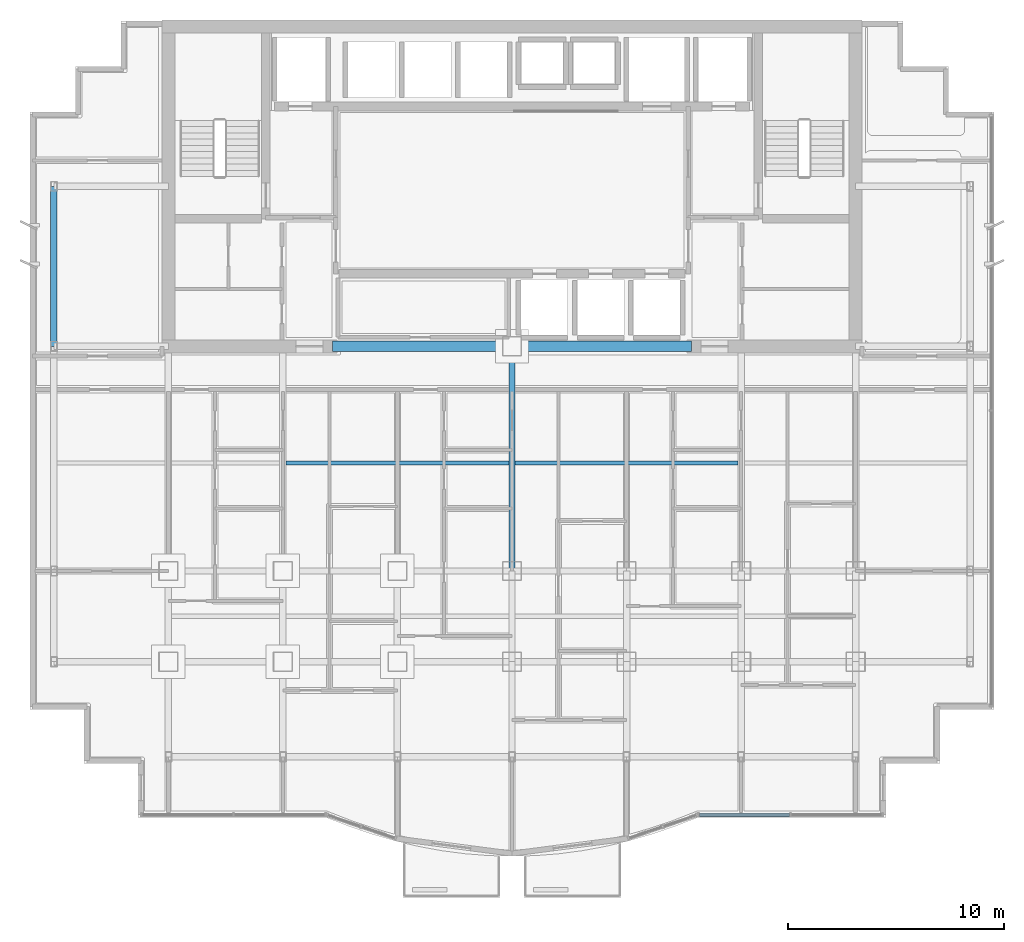
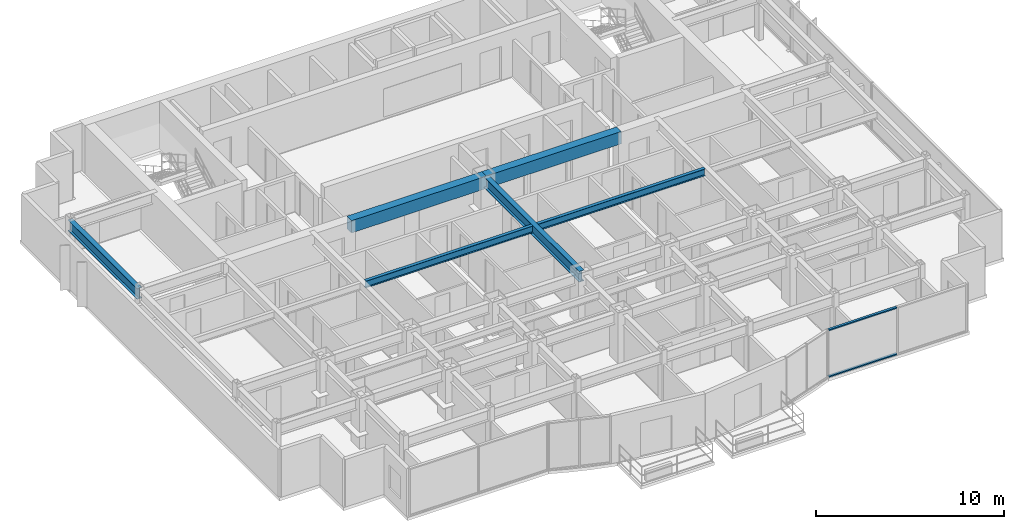
# One storey, part 3 of 13: 6 beams, 2 members, 1 element without a shape of its own.
"""IFC4 building model written with IfcOpenShell, lengths in metres."""

import ifcopenshell
import ifcopenshell.guid

model = None  # the IFC model being written
_history = None  # IfcOwnerHistory: only IFC2X3 demands one
_inside = {}  # id of a spatial element -> (the spatial element, [elements in it])
_under = {}  # id of a project, library or spatial element -> (it, [spatial elements below it])
_declared = {}  # id of a project -> (the project, [libraries it declares])
_typed = {}  # id of a type object -> (the type object, [elements of that type])
_made_of = {}  # id of a material, layer set ... -> (it, [elements and type objects made of it])


def new_model(schema):
    """Start an empty IFC model of exactly this schema.

    Asked for "IFC4X3", IfcOpenShell would pick the latest addendum, in which some entities
    have other attributes; the version numbers below select the first issue.
    IFC2X3 requires an IfcOwnerHistory on every rooted entity: one is made here for all.
    """
    global model, _history
    if schema == "IFC4X3":
        model = ifcopenshell.file(schema_version=(4, 3, 0, 0))
    else:
        model = ifcopenshell.file(schema=schema)
    _inside.clear()
    _under.clear()
    _declared.clear()
    _typed.clear()
    _made_of.clear()
    _history = None
    if model.schema == "IFC2X3":
        org = make("IfcOrganization", Name="unknown")
        user = make(
            "IfcPersonAndOrganization",
            ThePerson=make("IfcPerson", FamilyName="unknown"),
            TheOrganization=org,
        )
        app = make(
            "IfcApplication",
            ApplicationDeveloper=org,
            Version="unknown",
            ApplicationFullName="unknown",
            ApplicationIdentifier="unknown",
        )
        _history = make(
            "IfcOwnerHistory",
            OwningUser=user,
            OwningApplication=app,
            ChangeAction="ADDED",
            CreationDate=0,
        )
    return model


def make(cls, **values):
    """One entity of the class cls with the attributes given. An attribute that is None is left unset."""
    return model.create_entity(
        cls, **{name: value for name, value in values.items() if value is not None}
    )


def rooted(cls, **values):
    """An entity with a GlobalId (a new one), such as an element, a storey or a relation."""
    return make(cls, GlobalId=ifcopenshell.guid.new(), OwnerHistory=_history, **values)


def si_unit(unit_type, name, prefix=None):
    """IfcSIUnit, for example si_unit("LENGTHUNIT", "METRE", prefix="MILLI")."""
    return make("IfcSIUnit", UnitType=unit_type, Prefix=prefix, Name=name)


def assignment(units):
    """IfcUnitAssignment: the units of a project."""
    return None if units is None else make("IfcUnitAssignment", Units=units)


def point(xyz):
    """IfcCartesianPoint."""
    return None if xyz is None else make("IfcCartesianPoint", Coordinates=xyz)


def direction(xyz):
    """IfcDirection."""
    return None if xyz is None else make("IfcDirection", DirectionRatios=xyz)


def frame(location, z_axis=None, x_axis=None):
    """IfcAxis2Placement3D, a coordinate frame: its origin and axes. An axis left out is left unset."""
    return make(
        "IfcAxis2Placement3D",
        Location=point(location),
        Axis=direction(z_axis),
        RefDirection=direction(x_axis),
    )


def frame_2d(location, x_axis=None):
    """IfcAxis2Placement2D, a coordinate frame in the plane: its origin and x axis."""
    return make(
        "IfcAxis2Placement2D", Location=point(location), RefDirection=direction(x_axis)
    )


def origin():
    """The frame at (0, 0, 0) with its axes left unset."""
    return frame((0.0, 0.0, 0.0))


def origin_2d():
    """The frame at (0, 0) in the plane with its x axis left unset."""
    return frame_2d((0.0, 0.0))


def place(relative_to, where):
    """IfcLocalPlacement: puts the frame where relative to a parent placement (None: the world)."""
    return make(
        "IfcLocalPlacement", PlacementRelTo=relative_to, RelativePlacement=where
    )


def context(
    kind, dimensions, precision=None, world=None, true_north=None, identifier=None
):
    """IfcGeometricRepresentationContext, for example the 3D "Model" context."""
    return make(
        "IfcGeometricRepresentationContext",
        ContextIdentifier=identifier,
        ContextType=kind,
        CoordinateSpaceDimension=dimensions,
        Precision=precision,
        WorldCoordinateSystem=world,
        TrueNorth=true_north,
    )


def subcontext(parent, identifier, kind, view, scale=None):
    """IfcGeometricRepresentationSubContext, for example "Body" below "Model"."""
    return make(
        "IfcGeometricRepresentationSubContext",
        ContextIdentifier=identifier,
        ContextType=kind,
        ParentContext=parent,
        TargetScale=scale,
        TargetView=view,
    )


def project(units=None, contexts=None):
    """IfcProject with its units and contexts."""
    return rooted(
        "IfcProject",
        Name="project",
        RepresentationContexts=contexts,
        UnitsInContext=assignment(units),
    )


def spatial(cls, under=None, at=None, **own):
    """A site, building, storey or space (cls), placed at a placement, below another one or the project."""
    s = rooted(cls, ObjectPlacement=at, **own)
    if under is not None:
        _under.setdefault(under.id(), (under, []))[1].append(s)
    return s


def profile(cls, at=None, kind="AREA", **sizes):
    """A parametric profile (cls). Its sizes go by their IFC names, for example OverallWidth=200.0."""
    return make(cls, ProfileType=kind, Position=at, **sizes)


def rectangle(**sizes):
    """IfcRectangleProfileDef."""
    return profile("IfcRectangleProfileDef", **sizes)


def i_section(**sizes):
    """IfcIShapeProfileDef."""
    return profile("IfcIShapeProfileDef", **sizes)


def extrude(swept, where, along, depth):
    """IfcExtrudedAreaSolid: the profile swept, set in the frame where, extruded along a direction by depth."""
    return make(
        "IfcExtrudedAreaSolid",
        SweptArea=swept,
        Position=where,
        ExtrudedDirection=direction(along),
        Depth=depth,
    )


def shape(context_of_items, identifier, shape_type, items):
    """IfcShapeRepresentation: the items that make up one representation, for example the "Body"."""
    return make(
        "IfcShapeRepresentation",
        ContextOfItems=context_of_items,
        RepresentationIdentifier=identifier,
        RepresentationType=shape_type,
        Items=items,
    )


def source(mapping_origin, context_of_items, identifier, shape_type, items):
    """IfcRepresentationMap: a shape defined once, which mapped items show again and again."""
    return make(
        "IfcRepresentationMap",
        MappingOrigin=mapping_origin,
        MappedRepresentation=shape(context_of_items, identifier, shape_type, items),
    )


def transform(
    local_origin,
    x_axis=None,
    y_axis=None,
    z_axis=None,
    scale=None,
    scale2=None,
    scale3=None,
    uniform=True,
):
    """IfcCartesianTransformationOperator3D, or its non-uniform kind. x_axis, y_axis, z_axis: its Axis1, 2, 3."""
    if uniform:
        return make(
            "IfcCartesianTransformationOperator3D",
            Axis1=direction(x_axis),
            Axis2=direction(y_axis),
            LocalOrigin=point(local_origin),
            Scale=scale,
            Axis3=direction(z_axis),
        )
    return make(
        "IfcCartesianTransformationOperator3DnonUniform",
        Axis1=direction(x_axis),
        Axis2=direction(y_axis),
        LocalOrigin=point(local_origin),
        Scale=scale,
        Axis3=direction(z_axis),
        Scale2=scale2,
        Scale3=scale3,
    )


def mapped(mapping_source, mapping_target):
    """IfcMappedItem: shows the shape of a source again, moved by a transform."""
    return make(
        "IfcMappedItem", MappingSource=mapping_source, MappingTarget=mapping_target
    )


def material(Name=None, Category=None):
    """IfcMaterial."""
    return make("IfcMaterial", Name=Name, Category=Category)


def layer(
    of_material, thickness, ventilated=None, Name=None, Category=None, Priority=None
):
    """IfcMaterialLayer: one layer of a wall or slab, of a material (None: an air gap)."""
    return make(
        "IfcMaterialLayer",
        Material=of_material,
        LayerThickness=thickness,
        IsVentilated=ventilated,
        Name=Name,
        Category=Category,
        Priority=Priority,
    )


def layer_set(layers, Name=None):
    """IfcMaterialLayerSet."""
    return make("IfcMaterialLayerSet", MaterialLayers=layers, LayerSetName=Name)


def material_profile(
    of_material, cross_section, Name=None, Category=None, Priority=None
):
    """IfcMaterialProfile: a cross section and its material."""
    return make(
        "IfcMaterialProfile",
        Name=Name,
        Material=of_material,
        Profile=cross_section,
        Priority=Priority,
        Category=Category,
    )


def profile_set(profiles, Name=None, composite=None):
    """IfcMaterialProfileSet."""
    return make(
        "IfcMaterialProfileSet",
        Name=Name,
        MaterialProfiles=profiles,
        CompositeProfile=composite,
    )


def made_of(thing, what):
    """Note that an element or type object is made of a material, layer set ...; save() writes the relation."""
    if what is not None:
        _made_of.setdefault(what.id(), (what, []))[1].append(thing)
    return thing


def type_object(cls, material=None, **own):
    """A type object (cls), such as IfcWallType, which elements share."""
    return made_of(rooted(cls, **own), material)


def element(
    cls,
    number,
    at=None,
    inside=None,
    cuts=None,
    type_object=None,
    material=None,
    context=None,
    identifier="Body",
    shape_type=None,
    held_by="IfcProductDefinitionShape",
    body=None,
    shapes=None,
    **own,
):
    """One element of the class cls, such as IfcWall. Its Tag is "e" and its number.

    at: its placement. inside: the storey or other place that contains it. cuts: it is an
    opening in that element (IfcRelVoidsElement). A single representation is given by context,
    identifier, shape_type and body (its items); several are given by shapes. held_by: the class
    of the entity that holds the representations. save() writes the other relations.
    """
    e = rooted(cls, Tag="e%d" % number, ObjectPlacement=at, **own)
    if body is not None:
        shapes = [shape(context, identifier, shape_type, body)]
    if shapes is not None:
        e.Representation = make(held_by, Representations=shapes)
    if inside is not None:
        _inside.setdefault(inside.id(), (inside, []))[1].append(e)
    if cuts is not None:
        rooted(
            "IfcRelVoidsElement", RelatingBuildingElement=cuts, RelatedOpeningElement=e
        )
    if type_object is not None:
        _typed.setdefault(type_object.id(), (type_object, []))[1].append(e)
    return made_of(e, material)


def aggregate(whole, parts):
    """IfcRelAggregates: a whole, such as a stair, and the parts it consists of."""
    return rooted("IfcRelAggregates", RelatingObject=whole, RelatedObjects=parts)


def save(model, path):
    """Write the relations noted so far, then the file.

    IfcRelAggregates (storeys below a building ...), IfcRelContainedInSpatialStructure (elements
    in a storey), IfcRelDefinesByType, IfcRelAssociatesMaterial and IfcRelDeclares: one each for
    every whole, place, type object, material and project.
    """
    for whole, parts in _under.values():
        aggregate(whole, parts)
    for where, things in _inside.values():
        rooted(
            "IfcRelContainedInSpatialStructure",
            RelatedElements=things,
            RelatingStructure=where,
        )
    for kind, things in _typed.values():
        rooted("IfcRelDefinesByType", RelatedObjects=things, RelatingType=kind)
    for what, things in _made_of.values():
        rooted("IfcRelAssociatesMaterial", RelatedObjects=things, RelatingMaterial=what)
    for by, libraries in _declared.values():
        rooted("IfcRelDeclares", RelatingContext=by, RelatedDefinitions=libraries)
    model.write(path)


model = new_model("IFC4")

# Units and contexts
model_context = context("Model", 3, precision=1e-05, world=origin(), true_north=direction((0.0, 1.0)))
body_context = subcontext(model_context, "Body", "Model", "MODEL_VIEW")
ifc_project = project(units=[si_unit("LENGTHUNIT", "METRE"), si_unit("AREAUNIT", "SQUARE_METRE"), si_unit("VOLUMEUNIT", "CUBIC_METRE"), si_unit("PLANEANGLEUNIT", "RADIAN"), si_unit("MASSUNIT", "GRAM", prefix="KILO")], contexts=[model_context])

# Site, building, storey
site_placement = place(None, origin())
site = spatial("IfcSite", under=ifc_project, at=site_placement, CompositionType="ELEMENT")
building_placement = place(site_placement, origin())
building = spatial("IfcBuilding", under=site, at=building_placement, Name="Qianlan Lanfeng Residences", CompositionType="ELEMENT")
storey_placement = place(building_placement, frame((0.0, 0.0, 162.300048828125)))
storey = spatial("IfcBuildingStorey", under=building, at=storey_placement, Name="L44", CompositionType="ELEMENT", Elevation=162.300048828125)

# Beams
ifc_material_1 = material(Name="Steel SN490B", Category="steel")
ifc_material_profile_1 = material_profile(ifc_material_1, i_section(OverallWidth=0.300048828125, OverallDepth=0.699951171875, WebThickness=0.012939453125, FlangeThickness=0.02392578125, at=origin_2d()), Name="H 700x300x13x24")
ifc_profile_set_1 = profile_set([ifc_material_profile_1], Name="Steel SN490B")
beam_type_1 = type_object("IfcBeamType", Name="G-750", PredefinedType="BEAM", material=ifc_profile_set_1)
beam_1_placement = place(storey_placement, frame((26.5, 14.800048828125, 2.75), z_axis=(0.0, 1.0, 0.0), x_axis=(-1.0, 0.0, 0.0)))
element("IfcBeam", 1, at=beam_1_placement, inside=storey, type_object=beam_type_1, Name="Structural beam G-750", PredefinedType="BEAM", context=body_context, shape_type="SweptSolid", body=[
    extrude(i_section(OverallWidth=0.300048828125, OverallDepth=0.699951171875, WebThickness=0.012939453125, FlangeThickness=0.02392578125, at=origin_2d()), origin(), (0.0, 0.0, 1.0), 10.39990234375),
])
ifc_material_profile_2 = material_profile(ifc_material_1, i_section(OverallWidth=0.199951171875, OverallDepth=0.449951171875, WebThickness=0.009033203125, FlangeThickness=0.013916015625, at=origin_2d()), Name="H 450x200x9x14")
ifc_profile_set_2 = profile_set([ifc_material_profile_2], Name="Steel SN490B")
beam_type_2 = type_object("IfcBeamType", Name="J-450", PredefinedType="JOIST", material=ifc_profile_set_2)
for number, where, z_axis, x_axis, name in (
    (2, (16.050048828125, 19.800048828125, 2.875), (1.0, 0.0, 0.0), (0.0, 1.0, 0.0), "Structural beam J-450"),
    (3, (26.64990234375, 19.800048828125, 2.875), (1.0, 0.0, 0.0), (0.0, 1.0, 0.0), "Structural beam J-450"),
):
    element("IfcBeam", number, at=place(storey_placement, frame(where, z_axis=z_axis, x_axis=x_axis)), inside=storey, type_object=beam_type_2, Name=name, PredefinedType="JOIST", context=body_context, shape_type="SweptSolid", body=[
        extrude(i_section(OverallWidth=0.199951171875, OverallDepth=0.449951171875, WebThickness=0.009033203125, FlangeThickness=0.013916015625, at=origin_2d()), origin(), (0.0, 0.0, 1.0), 10.300048828125),
    ])
ifc_material_2 = material(Name="Concrete C49", Category="concrete")
ifc_material_profile_3 = material_profile(ifc_material_2, rectangle(XDim=0.5, YDim=0.800048828125, at=origin_2d()), Name="RC 500x800")
ifc_profile_set_3 = profile_set([ifc_material_profile_3], Name="Concrete C49")
beam_type_3 = type_object("IfcBeamType", Name="LB-RC750", PredefinedType="BEAM", material=ifc_profile_set_3)
for number, where, z_axis, x_axis, name in (
    (4, (18.199951171875, 25.199951171875, 2.699951171875), (1.0, 0.0, 0.0), (0.0, 1.0, 0.0), "L44 Core Coupling Beam W"),
    (5, (26.5, 25.199951171875, 2.699951171875), (1.0, 0.0, 0.0), (0.0, 1.0, 0.0), "L44 Core Coupling Beam E"),
):
    element("IfcBeam", number, at=place(storey_placement, frame(where, z_axis=z_axis, x_axis=x_axis)), inside=storey, type_object=beam_type_3, Name=name, PredefinedType="BEAM", context=body_context, shape_type="SweptSolid", body=[
        extrude(rectangle(XDim=0.5, YDim=0.800048828125, at=origin_2d()), origin(), (0.0, 0.0, 1.0), 8.300048828125),
    ])
ifc_material_profile_4 = material_profile(ifc_material_1, i_section(OverallWidth=0.300048828125, OverallDepth=0.699951171875, WebThickness=0.012939453125, FlangeThickness=0.02392578125, at=origin_2d()), Name="H 700x300x13x24")
ifc_profile_set_4 = profile_set([ifc_material_profile_4], Name="Steel SN490B")
beam_type_4 = type_object("IfcBeamType", Name="SG-750", PredefinedType="SPANDREL", material=ifc_profile_set_4)
beam_2_placement = place(storey_placement, frame((5.300048828125, 25.199951171875, 2.739990234375), z_axis=(0.0, 1.0, 0.0), x_axis=(-1.0, 0.0, 0.0)))
element("IfcBeam", 6, at=beam_2_placement, inside=storey, type_object=beam_type_4, Name="Structural beam SG-750", PredefinedType="SPANDREL", context=body_context, shape_type="SweptSolid", body=[
    extrude(i_section(OverallWidth=0.300048828125, OverallDepth=0.699951171875, WebThickness=0.012939453125, FlangeThickness=0.02392578125, at=origin_2d()), origin(), (0.0, 0.0, 1.0), 7.400146484375),
])

# Curtain wall, members
ifc_material_3 = material(Name="Anodised Bronze Aluminium 6063-T6", Category="aluminium")
ifc_layer = layer(ifc_material_3, 0.219970703125)
ifc_layer_set = layer_set([ifc_layer], Name="Anodised Bronze Aluminium 6063-T6")
curtain_wall_type = type_object("IfcCurtainWallType", Name="CW-04", PredefinedType="NOTDEFINED", material=ifc_layer_set)
curtain_wall_placement = place(storey_placement, origin())
curtain_wall = element("IfcCurtainWall", 7, at=curtain_wall_placement, inside=storey, type_object=curtain_wall_type, Name="L44 Unitised Curtain Wall CWR-L44-04 (CW-04)", PredefinedType="NOTDEFINED")
ifc_material_profile_5 = material_profile(ifc_material_3, rectangle(XDim=0.074951171875, YDim=0.14990234375, at=origin_2d()), Name="ALU TRANSOM 75x150")
ifc_profile_set_5 = profile_set([ifc_material_profile_5], Name="Anodised Bronze Aluminium 6063-T6")
member_type = type_object("IfcMemberType", Name="CWT-150", PredefinedType="USERDEFINED", material=ifc_profile_set_5)
shared_shape = source(origin(), body_context, "Body", "SweptSolid", [
    extrude(rectangle(XDim=0.074951171875, YDim=0.14990234375, at=origin_2d()), origin(), (0.0, 0.0, 1.0), 4.178955078125),
])
member_1_placement = place(storey_placement, frame((35.172119140625, 3.52001953125, 0.037353515625), z_axis=(1.0, 0.0, 0.0), x_axis=(0.0, 0.0, 1.0)))
member_1 = element("IfcMember", 8, at=member_1_placement, type_object=member_type, Name="CWR-L44-04 Transom 1-BOT", ObjectType="TRANSOM", PredefinedType="USERDEFINED", context=body_context, shape_type="MappedRepresentation", body=[
    mapped(shared_shape, transform((0.0, 0.0, 0.0), scale=1.0)),
])
member_2_placement = place(storey_placement, frame((35.172119140625, 3.52001953125, 3.0625), z_axis=(1.0, 0.0, 0.0), x_axis=(0.0, 0.0, 1.0)))
member_2 = element("IfcMember", 9, at=member_2_placement, type_object=member_type, Name="CWR-L44-04 Transom 1-TOP", ObjectType="TRANSOM", PredefinedType="USERDEFINED", context=body_context, shape_type="MappedRepresentation", body=[
    mapped(shared_shape, transform((0.0, 0.0, 0.0), scale=1.0)),
])
aggregate(curtain_wall, [member_1, member_2])

save(model, "model.ifc")
